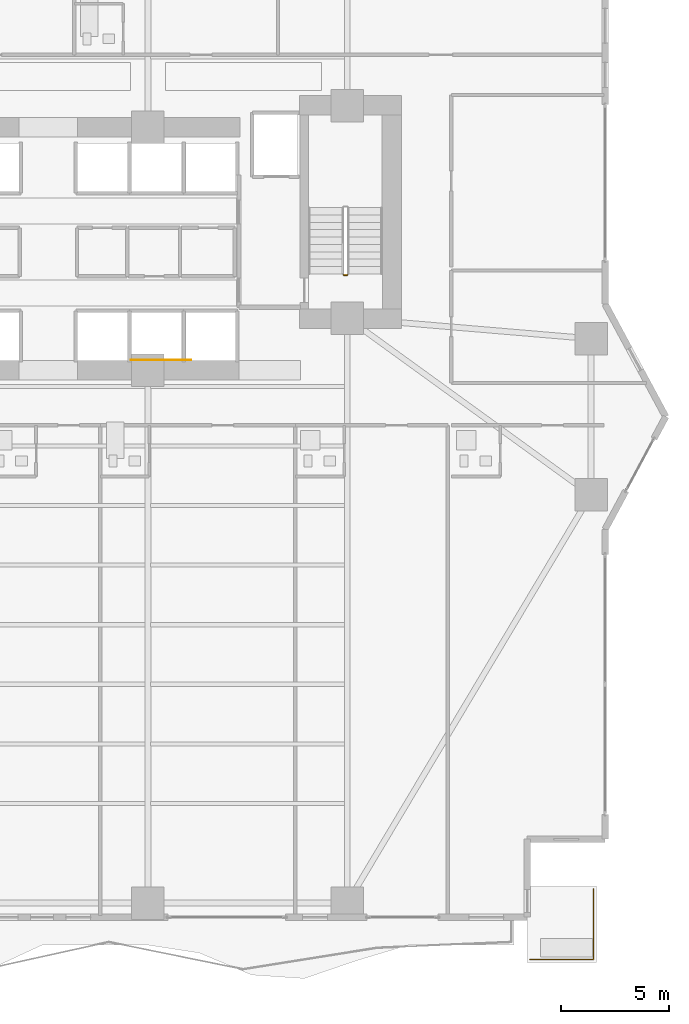
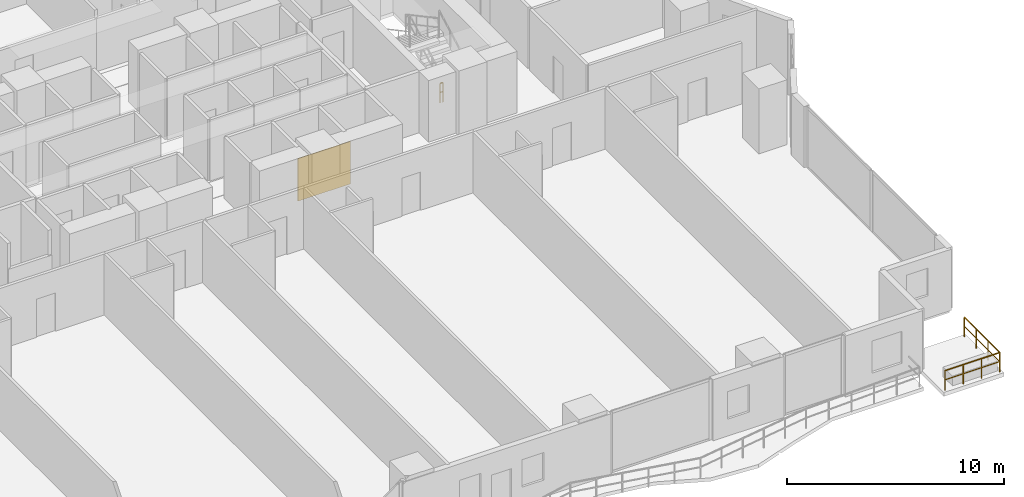
# One storey, part 25 of 29: 2 railings, 1 covering.
"""IFC4 building model written with IfcOpenShell, lengths in metres."""

from ifc_helpers import new_model, si_unit, direction, frame, origin, origin_2d, place, context, subcontext, project, spatial, rectangle, extrude, material, layer, layer_set, type_object, element, save


model = new_model("IFC4")

# Units and contexts
model_context = context("Model", 3, precision=1e-05, world=origin(), true_north=direction((0.0, 1.0)))
body_context = subcontext(model_context, "Body", "Model", "MODEL_VIEW")
ifc_project = project(units=[si_unit("LENGTHUNIT", "METRE"), si_unit("AREAUNIT", "SQUARE_METRE"), si_unit("VOLUMEUNIT", "CUBIC_METRE"), si_unit("PLANEANGLEUNIT", "RADIAN"), si_unit("MASSUNIT", "GRAM", prefix="KILO")], contexts=[model_context])

# Site, building, storey
site_placement = place(None, origin())
site = spatial("IfcSite", under=ifc_project, at=site_placement, CompositionType="ELEMENT")
building_placement = place(site_placement, origin())
building = spatial("IfcBuilding", under=site, at=building_placement, Name="Zuhayl Quay Hotel", CompositionType="ELEMENT")
storey_placement = place(building_placement, frame((0.0, 0.0, 38.550048828125)))
storey = spatial("IfcBuildingStorey", under=building, at=storey_placement, Name="L08", CompositionType="ELEMENT", Elevation=38.550048828125)

# Covering
ifc_material_1 = material(Name="Acoustic Walnut Feature Timber", Category="wood")
ifc_layer = layer(ifc_material_1, 0.02197265625, Name="Acoustic Walnut Feature Timber", Category="wood")
ifc_layer_set = layer_set([ifc_layer], Name="Acoustic Walnut Feature Timber")
covering_type = type_object("IfcCoveringType", Name="CV_WALL_CLAD", PredefinedType="CLADDING", material=ifc_layer_set)
covering_placement = place(storey_placement, frame((5.199951171875, 2.611083984375, 0.300048828125), z_axis=(0.0, 0.0, 1.0), x_axis=(1.0, 0.0, 0.0)))
element("IfcCovering", 1, at=covering_placement, inside=storey, type_object=covering_type, Name="L08 Feature Lobby Walnut Wall Cladding E", PredefinedType="CLADDING", context=body_context, shape_type="SweptSolid", body=[
    extrude(rectangle(XDim=2.800048828125, YDim=0.02197265625, at=origin_2d()), origin(), (0.0, 0.0, 1.0), 2.39990234375),
])

# Railings
ifc_material_2 = material(Name="Anodised Aluminium and Laminated Glass", Category="aluminium")
railing_type_1 = type_object("IfcRailingType", Name="RL_EXT_BAL_1100", PredefinedType="BALUSTRADE", material=ifc_material_2)
railing_1_placement = place(storey_placement, frame((22.239990234375, -25.06005859375, 0.0)))
element("IfcRailing", 2, at=railing_1_placement, inside=storey, type_object=railing_type_1, Name="L08 Balcony and Terrace Guard GR_L08_SPIRAL_SE", PredefinedType="BALUSTRADE", context=body_context, shape_type="SweptSolid", body=[
    extrude(rectangle(XDim=0.048095703125, YDim=0.048095703125, at=origin_2d()), frame((0.0, 0.0, 1.09619140625), z_axis=(1.0, 0.0, 0.0), x_axis=(0.0, 1.0, 0.0)), (0.0, 0.0, 1.0), 2.919921875),
    extrude(rectangle(XDim=0.0361328125, YDim=0.0361328125, at=origin_2d()), frame((0.0, 0.0, 0.58251953125), z_axis=(1.0, 0.0, 0.0), x_axis=(0.0, 1.0, 0.0)), (0.0, 0.0, 1.0), 2.919921875),
    extrude(rectangle(XDim=0.048095703125, YDim=0.048095703125, at=origin_2d()), frame((2.919921875, 0.0, 1.09619140625), z_axis=(0.0, 1.0, 0.0), x_axis=(-1.0, 0.0, 0.0)), (0.0, 0.0, 1.0), 3.27001953125),
    extrude(rectangle(XDim=0.0361328125, YDim=0.0361328125, at=origin_2d()), frame((2.919921875, 0.0, 0.58251953125), z_axis=(0.0, 1.0, 0.0), x_axis=(-1.0, 0.0, 0.0)), (0.0, 0.0, 1.0), 3.27001953125),
    extrude(rectangle(XDim=0.0419921875, YDim=0.0419921875, at=origin_2d()), origin(), (0.0, 0.0, 1.0), 1.072021484375),
    extrude(rectangle(XDim=0.0419921875, YDim=0.0419921875, at=origin_2d()), frame((0.973388671875, 0.0, 0.0)), (0.0, 0.0, 1.0), 1.072021484375),
    extrude(rectangle(XDim=0.0419921875, YDim=0.0419921875, at=origin_2d()), frame((1.946533203125, 0.0, 0.0)), (0.0, 0.0, 1.0), 1.072021484375),
    extrude(rectangle(XDim=0.0419921875, YDim=0.0419921875, at=origin_2d()), frame((2.919921875, 0.0, 0.0)), (0.0, 0.0, 1.0), 1.072021484375),
    extrude(rectangle(XDim=0.0419921875, YDim=0.0419921875, at=origin_2d()), frame((2.919921875, 1.090087890625, 0.0)), (0.0, 0.0, 1.0), 1.072021484375),
    extrude(rectangle(XDim=0.0419921875, YDim=0.0419921875, at=origin_2d()), frame((2.919921875, 2.179931640625, 0.0)), (0.0, 0.0, 1.0), 1.072021484375),
    extrude(rectangle(XDim=0.0419921875, YDim=0.0419921875, at=origin_2d()), frame((2.919921875, 3.27001953125, 0.0)), (0.0, 0.0, 1.0), 1.072021484375),
])
ifc_material_3 = material(Name="Steel ASTM A992 Grade 50", Category="steel")
railing_type_2 = type_object("IfcRailingType", Name="RL_GUARD_1100", PredefinedType="GUARDRAIL", material=ifc_material_3)
railing_2_placement = place(storey_placement, frame((13.7900390625, 6.5400390625, 0.0)))
element("IfcRailing", 3, at=railing_2_placement, inside=storey, type_object=railing_type_2, Name="L08 ST2 stair guard 4", PredefinedType="GUARDRAIL", context=body_context, shape_type="SweptSolid", body=[
    extrude(rectangle(XDim=0.048095703125, YDim=0.048095703125, at=origin_2d()), frame((0.0, 0.0, 1.09619140625), z_axis=(-1.0, 0.0, 0.0), x_axis=(0.0, -1.0, 0.0)), (0.0, 0.0, 1.0), 0.150146484375),
    extrude(rectangle(XDim=0.0361328125, YDim=0.0361328125, at=origin_2d()), frame((0.0, 0.0, 0.58251953125), z_axis=(-1.0, 0.0, 0.0), x_axis=(0.0, -1.0, 0.0)), (0.0, 0.0, 1.0), 0.150146484375),
    extrude(rectangle(XDim=0.0419921875, YDim=0.0419921875, at=origin_2d()), origin(), (0.0, 0.0, 1.0), 1.072021484375),
    extrude(rectangle(XDim=0.0419921875, YDim=0.0419921875, at=origin_2d()), frame((-0.150146484375, 0.0, 0.0)), (0.0, 0.0, 1.0), 1.072021484375),
])

save(model, "model.ifc")
